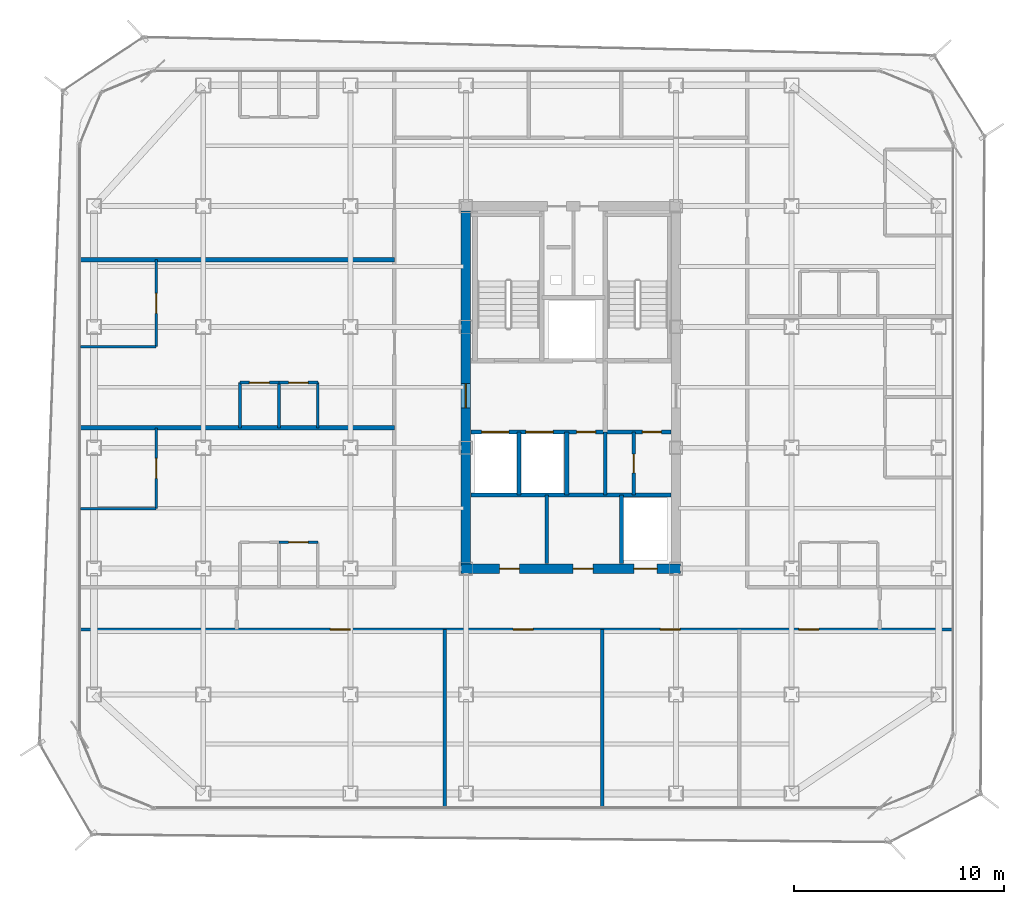
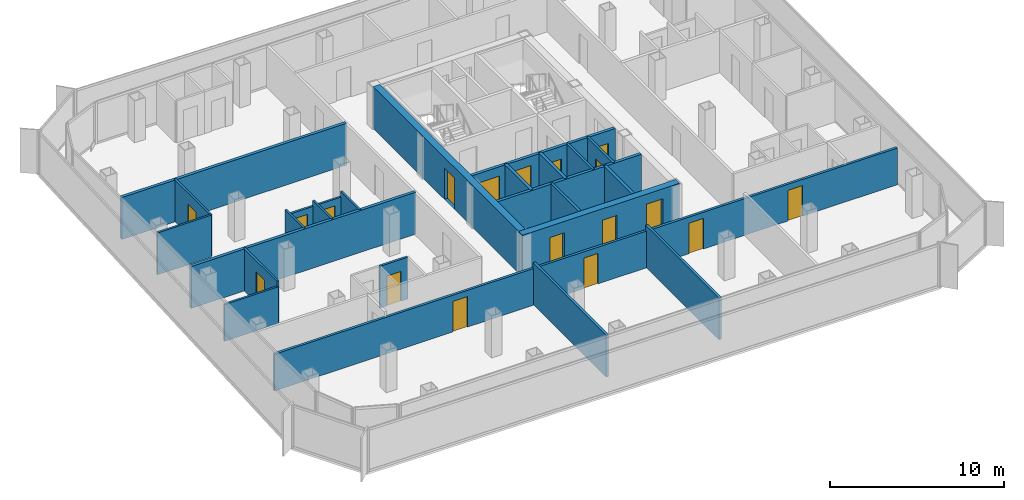
# One storey, part 10 of 15: 25 walls, 18 doors, 18 openings.
"""IFC4 building model written with IfcOpenShell, lengths in metres."""

from ifc_helpers import new_model, si_unit, direction, frame, frame_2d, origin, place, context, subcontext, project, spatial, rectangle, extrude, material, layer, layer_set, type_object, element, fill, save


model = new_model("IFC4")

# Units and contexts
model_context = context("Model", 3, precision=1e-05, world=origin(), true_north=direction((0.0, 1.0)))
body_context = subcontext(model_context, "Body", "Model", "MODEL_VIEW")
ifc_project = project(units=[si_unit("LENGTHUNIT", "METRE"), si_unit("AREAUNIT", "SQUARE_METRE"), si_unit("VOLUMEUNIT", "CUBIC_METRE"), si_unit("PLANEANGLEUNIT", "RADIAN"), si_unit("MASSUNIT", "GRAM", prefix="KILO")], contexts=[model_context])

# Site, building, storey
site_placement = place(None, origin())
site = spatial("IfcSite", under=ifc_project, at=site_placement, CompositionType="ELEMENT")
building_placement = place(site_placement, origin())
building = spatial("IfcBuilding", under=site, at=building_placement, Name="Kolveth Station Tower", CompositionType="ELEMENT")
storey_placement = place(building_placement, frame((0.0, 0.0, 196.39990234375)))
storey = spatial("IfcBuildingStorey", under=building, at=storey_placement, Name="L55", CompositionType="ELEMENT", Elevation=196.39990234375)

# Wall, openings, doors
ifc_material_1 = material(Name="Concrete C50/60", Category="concrete")
ifc_layer_1 = layer(ifc_material_1, 0.449951171875)
ifc_layer_set_1 = layer_set([ifc_layer_1], Name="Concrete C50/60")
wall_type_1 = type_object("IfcWallType", Name="Wall_CW-450", PredefinedType="SHEAR", material=ifc_layer_set_1)
wall_1_placement = place(storey_placement, frame((18.27490234375, 11.5, 0.0), z_axis=(0.0, 0.0, 1.0), x_axis=(1.0, 0.0, 0.0)))
wall_1 = element("IfcWall", 1, at=wall_1_placement, inside=storey, type_object=wall_type_1, Name="L55 Core RC Shear Wall S", PredefinedType="SHEAR", context=body_context, shape_type="SweptSolid", body=[
    extrude(rectangle(XDim=10.4501953125, YDim=0.449951171875, at=frame_2d((5.22509765625, 0.0))), origin(), (0.0, 0.0, 1.0), 2.9501953125),
])
opening_1_placement = place(wall_1_placement, frame((1.824951171875, 0.0, 0.0)))
opening_1 = element("IfcOpeningElement", 2, at=opening_1_placement, cuts=wall_1, Name="Opening ID1", PredefinedType="OPENING", context=body_context, shape_type="SweptSolid", body=[
    extrude(rectangle(XDim=0.949951171875, YDim=2.14990234375, at=frame_2d((0.47509765625, 1.074951171875))), frame((0.0, 0.23486328125, 0.0), z_axis=(0.0, -1.0, 0.0), x_axis=(1.0, 0.0, 0.0)), (0.0, 0.0, 1.0), 0.469970703125),
])
opening_2_placement = place(wall_1_placement, frame((5.324951171875, 0.0, 0.0)))
opening_2 = element("IfcOpeningElement", 3, at=opening_2_placement, cuts=wall_1, Name="Opening ID1", PredefinedType="OPENING", context=body_context, shape_type="SweptSolid", body=[
    extrude(rectangle(XDim=0.949951171875, YDim=2.14990234375, at=frame_2d((0.47509765625, 1.074951171875))), frame((0.0, 0.23486328125, 0.0), z_axis=(0.0, -1.0, 0.0), x_axis=(1.0, 0.0, 0.0)), (0.0, 0.0, 1.0), 0.469970703125),
])
opening_3_placement = place(wall_1_placement, frame((8.22509765625, 0.0, 0.0)))
opening_3 = element("IfcOpeningElement", 4, at=opening_3_placement, cuts=wall_1, Name="Opening LD1", PredefinedType="OPENING", context=body_context, shape_type="SweptSolid", body=[
    extrude(rectangle(XDim=1.10009765625, YDim=2.25, at=frame_2d((0.550048828125, 1.125))), frame((0.0, 0.23486328125, 0.0), z_axis=(0.0, -1.0, 0.0), x_axis=(1.0, 0.0, 0.0)), (0.0, 0.0, 1.0), 0.469970703125),
])
ifc_material_2 = material(Name="Acoustic hardwood leaf and aluminium frame", Category="wood")
door_type_1 = type_object("IfcDoorType", Name="Door_ID1", OperationType="NOTDEFINED", PredefinedType="DOOR", material=ifc_material_2)
door_1_placement = place(opening_1_placement, frame((0.949951171875, 0.0, 0.0), z_axis=(0.0, 0.0, 1.0), x_axis=(-1.0, 0.0, 0.0)))
door_1 = element("IfcDoor", 5, at=door_1_placement, inside=storey, type_object=door_type_1, Name="L55 Laundry Room Door", OperationType="SINGLE_SWING_LEFT", OverallHeight=2.14990234375, OverallWidth=0.949951171875, PredefinedType="DOOR", context=body_context, shape_type="SweptSolid", body=[
    extrude(rectangle(XDim=0.949951171875, YDim=2.14990234375, at=frame_2d((0.47509765625, 1.074951171875))), frame((0.0, 0.02490234375, 0.0), z_axis=(0.0, -1.0, 0.0), x_axis=(1.0, 0.0, 0.0)), (0.0, 0.0, 1.0), 0.050048828125),
])
fill(opening_1, door_1)
door_2_placement = place(opening_2_placement, frame((0.949951171875, 0.0, 0.0), z_axis=(0.0, 0.0, 1.0), x_axis=(-1.0, 0.0, 0.0)))
door_2 = element("IfcDoor", 6, at=door_2_placement, inside=storey, type_object=door_type_1, Name="L55 Parcel Room Door", OperationType="SINGLE_SWING_LEFT", OverallHeight=2.14990234375, OverallWidth=0.949951171875, PredefinedType="DOOR", context=body_context, shape_type="SweptSolid", body=[
    extrude(rectangle(XDim=0.949951171875, YDim=2.14990234375, at=frame_2d((0.47509765625, 1.074951171875))), frame((0.0, 0.02490234375, 0.0), z_axis=(0.0, -1.0, 0.0), x_axis=(1.0, 0.0, 0.0)), (0.0, 0.0, 1.0), 0.050048828125),
])
fill(opening_2, door_2)
ifc_material_3 = material(Name="Brushed stainless steel sliding landing doors", Category="steel")
door_type_2 = type_object("IfcDoorType", Name="Door_LD1", OperationType="NOTDEFINED", PredefinedType="DOOR", material=ifc_material_3)
door_3_placement = place(opening_3_placement, frame((1.10009765625, 0.0, 0.0), z_axis=(0.0, 0.0, 1.0), x_axis=(-1.0, 0.0, 0.0)))
door_3 = element("IfcDoor", 7, at=door_3_placement, inside=storey, type_object=door_type_2, Name="L55 Lift PH1 Landing Door", OperationType="DOUBLE_DOOR_SLIDING", OverallHeight=2.25, OverallWidth=1.10009765625, PredefinedType="DOOR", context=body_context, shape_type="SweptSolid", body=[
    extrude(rectangle(XDim=1.10009765625, YDim=2.25, at=frame_2d((0.550048828125, 1.125))), frame((0.0, 0.02490234375, 0.0), z_axis=(0.0, -1.0, 0.0), x_axis=(1.0, 0.0, 0.0)), (0.0, 0.0, 1.0), 0.050048828125),
])
fill(opening_3, door_3)

# Wall, opening, door
wall_2_placement = place(storey_placement, frame((18.5, 11.72509765625, 0.0), z_axis=(0.0, 0.0, 1.0), x_axis=(0.0, 1.0, 0.0)))
wall_2 = element("IfcWall", 8, at=wall_2_placement, inside=storey, type_object=wall_type_1, Name="L55 Core RC Shear Wall W", PredefinedType="SHEAR", context=body_context, shape_type="SweptSolid", body=[
    extrude(rectangle(XDim=16.7998046875, YDim=0.449951171875, at=frame_2d((8.39990234375, 0.0))), origin(), (0.0, 0.0, 1.0), 2.9501953125),
])
opening_4_placement = place(wall_2_placement, frame((7.425048828125, 0.0, 0.0)))
opening_4 = element("IfcOpeningElement", 9, at=opening_4_placement, cuts=wall_2, Name="Opening FD1", PredefinedType="OPENING", context=body_context, shape_type="SweptSolid", body=[
    extrude(rectangle(XDim=1.14990234375, YDim=2.199951171875, at=frame_2d((0.574951171875, 1.10009765625))), frame((0.0, 0.23486328125, 0.0), z_axis=(0.0, -1.0, 0.0), x_axis=(1.0, 0.0, 0.0)), (0.0, 0.0, 1.0), 0.469970703125),
])
ifc_material_4 = material(Name="Fire-rated Steel S355 leaf and frame", Category="steel")
door_type_3 = type_object("IfcDoorType", Name="Door_FD1", OperationType="NOTDEFINED", PredefinedType="DOOR", material=ifc_material_4)
door_4_placement = place(opening_4_placement, frame((1.14990234375, 0.0, 0.0), z_axis=(0.0, 0.0, 1.0), x_axis=(-1.0, 0.0, 0.0)))
door_4 = element("IfcDoor", 10, at=door_4_placement, inside=storey, type_object=door_type_3, Name="L55 West Corridor to Firefighting Lobby Door", OperationType="SINGLE_SWING_LEFT", OverallHeight=2.199951171875, OverallWidth=1.14990234375, PredefinedType="DOOR", context=body_context, shape_type="SweptSolid", body=[
    extrude(rectangle(XDim=1.14990234375, YDim=2.199951171875, at=frame_2d((0.574951171875, 1.10009765625))), frame((0.0, 0.02490234375, 0.0), z_axis=(0.0, -1.0, 0.0), x_axis=(1.0, 0.0, 0.0)), (0.0, 0.0, 1.0), 0.050048828125),
])
fill(opening_4, door_4)

ifc_material_5 = material(Name="Moisture-resistant gypsum partition")
ifc_layer_2 = layer(ifc_material_5, 0.135009765625)
ifc_layer_set_2 = layer_set([ifc_layer_2], Name="Moisture-resistant gypsum partition")
wall_type_2 = type_object("IfcWallType", Name="Wall_IW-135", PredefinedType="PARTITIONING", material=ifc_layer_set_2)
wall_3_placement = place(storey_placement, frame((9.60009765625, 12.75, 0.0), z_axis=(0.0, 0.0, 1.0), x_axis=(1.0, 0.0, 0.0)))
wall_3 = element("IfcWall", 11, at=wall_3_placement, inside=storey, type_object=wall_type_2, Name="L55 Partition Wall WL-L55-W1-IBHB", PredefinedType="PARTITIONING", context=body_context, shape_type="SweptSolid", body=[
    extrude(rectangle(XDim=1.849853515625, YDim=0.135009765625, at=frame_2d((0.9248046875, 0.0))), origin(), (0.0, 0.0, 1.0), 2.9501953125),
])
opening_5_placement = place(wall_3_placement, frame((0.465087890625, 0.0, 0.0)))
opening_5 = element("IfcOpeningElement", 12, at=opening_5_placement, cuts=wall_3, Name="Opening ID2", PredefinedType="OPENING", context=body_context, shape_type="SweptSolid", body=[
    extrude(rectangle(XDim=0.919921875, YDim=2.10009765625, at=frame_2d((0.4599609375, 1.050048828125))), frame((0.0, 0.077392578125, 0.0), z_axis=(0.0, -1.0, 0.0), x_axis=(1.0, 0.0, 0.0)), (0.0, 0.0, 1.0), 0.155029296875),
])
ifc_material_6 = material(Name="Moisture-resistant hardwood leaf", Category="wood")
door_type_4 = type_object("IfcDoorType", Name="Door_ID2", OperationType="NOTDEFINED", PredefinedType="DOOR", material=ifc_material_6)
door_5_placement = place(opening_5_placement, origin())
door_5 = element("IfcDoor", 13, at=door_5_placement, inside=storey, type_object=door_type_4, Name="Penthouse Flat L55-W1 Bathroom Door", OperationType="SINGLE_SWING_RIGHT", OverallHeight=2.10009765625, OverallWidth=0.919921875, PredefinedType="DOOR", context=body_context, shape_type="SweptSolid", body=[
    extrude(rectangle(XDim=0.919921875, YDim=2.10009765625, at=frame_2d((0.4599609375, 1.050048828125))), frame((0.0, 0.02490234375, 0.0), z_axis=(0.0, -1.0, 0.0), x_axis=(1.0, 0.0, 0.0)), (0.0, 0.0, 1.0), 0.050048828125),
])
fill(opening_5, door_5)

# Wall
wall_4_placement = place(storey_placement, frame((0.159912109375, 14.347900390625, 0.0), z_axis=(0.0, 0.0, 1.0), x_axis=(1.0, 0.0, 0.0)))
element("IfcWall", 14, at=wall_4_placement, inside=storey, type_object=wall_type_2, Name="L55 Partition Wall WL-L55-W1-BDH0", PredefinedType="PARTITIONING", context=body_context, shape_type="SweptSolid", body=[
    extrude(rectangle(XDim=3.60009765625, YDim=0.135009765625, at=frame_2d((1.800048828125, 0.0))), origin(), (0.0, 0.0, 1.0), 2.5830078125),
])

# Wall, opening, door
wall_5_placement = place(storey_placement, frame((3.760009765625, 14.347900390625, 0.0), z_axis=(0.0, 0.0, 1.0), x_axis=(0.0, 1.0, 0.0)))
wall_5 = element("IfcWall", 15, at=wall_5_placement, inside=storey, type_object=wall_type_2, Name="L55 Partition Wall WL-L55-W1-BDV1", PredefinedType="PARTITIONING", context=body_context, shape_type="SweptSolid", body=[
    extrude(rectangle(XDim=3.85205078125, YDim=0.135009765625, at=frame_2d((1.926025390625, 0.0))), origin(), (0.0, 0.0, 1.0), 2.9501953125),
])
opening_6_placement = place(wall_5_placement, frame((1.446044921875, 0.0, 0.0)))
opening_6 = element("IfcOpeningElement", 16, at=opening_6_placement, cuts=wall_5, Name="Opening ID1", PredefinedType="OPENING", context=body_context, shape_type="SweptSolid", body=[
    extrude(rectangle(XDim=0.949951171875, YDim=2.14990234375, at=frame_2d((0.47509765625, 1.074951171875))), frame((0.0, 0.077392578125, 0.0), z_axis=(0.0, -1.0, 0.0), x_axis=(1.0, 0.0, 0.0)), (0.0, 0.0, 1.0), 0.155029296875),
])
door_6_placement = place(opening_6_placement, origin())
door_6 = element("IfcDoor", 17, at=door_6_placement, inside=storey, type_object=door_type_1, Name="Penthouse Flat L55-W1 Bedroom 1 Door", OperationType="SINGLE_SWING_LEFT", OverallHeight=2.14990234375, OverallWidth=0.949951171875, PredefinedType="DOOR", context=body_context, shape_type="SweptSolid", body=[
    extrude(rectangle(XDim=0.949951171875, YDim=2.14990234375, at=frame_2d((0.47509765625, 1.074951171875))), frame((0.0, 0.02490234375, 0.0), z_axis=(0.0, -1.0, 0.0), x_axis=(1.0, 0.0, 0.0)), (0.0, 0.0, 1.0), 0.050048828125),
])
fill(opening_6, door_6)

wall_6_placement = place(storey_placement, frame((7.75, 20.35009765625, 0.0), z_axis=(0.0, 0.0, 1.0), x_axis=(1.0, 0.0, 0.0)))
wall_6 = element("IfcWall", 18, at=wall_6_placement, inside=storey, type_object=wall_type_2, Name="L55 Partition Wall WL-L55-W2-IBHK", PredefinedType="PARTITIONING", context=body_context, shape_type="SweptSolid", body=[
    extrude(rectangle(XDim=1.85009765625, YDim=0.135009765625, at=frame_2d((0.925048828125, 0.0))), origin(), (0.0, 0.0, 1.0), 2.5830078125),
])
opening_7_placement = place(wall_6_placement, frame((0.445068359375, 0.0, 0.0)))
opening_7 = element("IfcOpeningElement", 19, at=opening_7_placement, cuts=wall_6, Name="Opening ID1", PredefinedType="OPENING", context=body_context, shape_type="SweptSolid", body=[
    extrude(rectangle(XDim=0.949951171875, YDim=2.14990234375, at=frame_2d((0.47509765625, 1.074951171875))), frame((0.0, 0.077392578125, 0.0), z_axis=(0.0, -1.0, 0.0), x_axis=(1.0, 0.0, 0.0)), (0.0, 0.0, 1.0), 0.155029296875),
])
door_7_placement = place(opening_7_placement, origin())
door_7 = element("IfcDoor", 20, at=door_7_placement, inside=storey, type_object=door_type_1, Name="Penthouse Flat L55-W2 Kitchen Door", OperationType="SINGLE_SWING_LEFT", OverallHeight=2.14990234375, OverallWidth=0.949951171875, PredefinedType="DOOR", context=body_context, shape_type="SweptSolid", body=[
    extrude(rectangle(XDim=0.949951171875, YDim=2.14990234375, at=frame_2d((0.47509765625, 1.074951171875))), frame((0.0, 0.02490234375, 0.0), z_axis=(0.0, -1.0, 0.0), x_axis=(1.0, 0.0, 0.0)), (0.0, 0.0, 1.0), 0.050048828125),
])
fill(opening_7, door_7)

wall_7_placement = place(storey_placement, frame((9.60009765625, 20.35009765625, 0.0), z_axis=(0.0, 0.0, 1.0), x_axis=(1.0, 0.0, 0.0)))
wall_7 = element("IfcWall", 21, at=wall_7_placement, inside=storey, type_object=wall_type_2, Name="L55 Partition Wall WL-L55-W2-IBHB", PredefinedType="PARTITIONING", context=body_context, shape_type="SweptSolid", body=[
    extrude(rectangle(XDim=1.849853515625, YDim=0.135009765625, at=frame_2d((0.9248046875, 0.0))), origin(), (0.0, 0.0, 1.0), 2.5830078125),
])
opening_8_placement = place(wall_7_placement, frame((0.465087890625, 0.0, 0.0)))
opening_8 = element("IfcOpeningElement", 22, at=opening_8_placement, cuts=wall_7, Name="Opening ID2", PredefinedType="OPENING", context=body_context, shape_type="SweptSolid", body=[
    extrude(rectangle(XDim=0.919921875, YDim=2.10009765625, at=frame_2d((0.4599609375, 1.050048828125))), frame((0.0, 0.077392578125, 0.0), z_axis=(0.0, -1.0, 0.0), x_axis=(1.0, 0.0, 0.0)), (0.0, 0.0, 1.0), 0.155029296875),
])
door_8_placement = place(opening_8_placement, origin())
door_8 = element("IfcDoor", 23, at=door_8_placement, inside=storey, type_object=door_type_4, Name="Penthouse Flat L55-W2 Bathroom Door", OperationType="SINGLE_SWING_RIGHT", OverallHeight=2.10009765625, OverallWidth=0.919921875, PredefinedType="DOOR", context=body_context, shape_type="SweptSolid", body=[
    extrude(rectangle(XDim=0.919921875, YDim=2.10009765625, at=frame_2d((0.4599609375, 1.050048828125))), frame((0.0, 0.02490234375, 0.0), z_axis=(0.0, -1.0, 0.0), x_axis=(1.0, 0.0, 0.0)), (0.0, 0.0, 1.0), 0.050048828125),
])
fill(opening_8, door_8)

# Walls
for number, where, z_axis, x_axis, name in (
    (24, (7.75, 18.199951171875, 0.0), (0.0, 0.0, 1.0), (0.0, 1.0, 0.0), "L55 Partition Wall WL-L55-W2-IBV0"),
    (25, (9.60009765625, 18.199951171875, 0.0), (0.0, 0.0, 1.0), (0.0, 1.0, 0.0), "L55 Partition Wall WL-L55-W2-IBV1"),
    (26, (11.449951171875, 18.199951171875, 0.0), (0.0, 0.0, 1.0), (0.0, 1.0, 0.0), "L55 Partition Wall WL-L55-W2-IBV2"),
):
    element("IfcWall", number, at=place(storey_placement, frame(where, z_axis=z_axis, x_axis=x_axis)), inside=storey, type_object=wall_type_2, Name=name, PredefinedType="PARTITIONING", context=body_context, shape_type="SweptSolid", body=[
        extrude(rectangle(XDim=2.150146484375, YDim=0.135009765625, at=frame_2d((1.0751953125, 0.0))), origin(), (0.0, 0.0, 1.0), 2.9501953125),
    ])
wall_8_placement = place(storey_placement, frame((0.159912109375, 22.06005859375, 0.0), z_axis=(0.0, 0.0, 1.0), x_axis=(1.0, 0.0, 0.0)))
element("IfcWall", 27, at=wall_8_placement, inside=storey, type_object=wall_type_2, Name="L55 Partition Wall WL-L55-W2-BDH0", PredefinedType="PARTITIONING", context=body_context, shape_type="SweptSolid", body=[
    extrude(rectangle(XDim=3.60009765625, YDim=0.135009765625, at=frame_2d((1.800048828125, 0.0))), origin(), (0.0, 0.0, 1.0), 2.9501953125),
])

# Wall, opening, door
wall_9_placement = place(storey_placement, frame((3.760009765625, 22.06005859375, 0.0), z_axis=(0.0, 0.0, 1.0), x_axis=(0.0, 1.0, 0.0)))
wall_9 = element("IfcWall", 28, at=wall_9_placement, inside=storey, type_object=wall_type_2, Name="L55 Partition Wall WL-L55-W2-BDV1", PredefinedType="PARTITIONING", context=body_context, shape_type="SweptSolid", body=[
    extrude(rectangle(XDim=4.139892578125, YDim=0.135009765625, at=frame_2d((2.06982421875, 0.0))), origin(), (0.0, 0.0, 1.0), 2.9501953125),
])
opening_9_placement = place(wall_9_placement, frame((1.590087890625, 0.0, 0.0)))
opening_9 = element("IfcOpeningElement", 29, at=opening_9_placement, cuts=wall_9, Name="Opening ID1", PredefinedType="OPENING", context=body_context, shape_type="SweptSolid", body=[
    extrude(rectangle(XDim=0.949951171875, YDim=2.14990234375, at=frame_2d((0.47509765625, 1.074951171875))), frame((0.0, 0.077392578125, 0.0), z_axis=(0.0, -1.0, 0.0), x_axis=(1.0, 0.0, 0.0)), (0.0, 0.0, 1.0), 0.155029296875),
])
door_9_placement = place(opening_9_placement, origin())
door_9 = element("IfcDoor", 30, at=door_9_placement, inside=storey, type_object=door_type_1, Name="Penthouse Flat L55-W2 Bedroom 1 Door", OperationType="SINGLE_SWING_LEFT", OverallHeight=2.14990234375, OverallWidth=0.949951171875, PredefinedType="DOOR", context=body_context, shape_type="SweptSolid", body=[
    extrude(rectangle(XDim=0.949951171875, YDim=2.14990234375, at=frame_2d((0.47509765625, 1.074951171875))), frame((0.0, 0.02490234375, 0.0), z_axis=(0.0, -1.0, 0.0), x_axis=(1.0, 0.0, 0.0)), (0.0, 0.0, 1.0), 0.050048828125),
])
fill(opening_9, door_9)

# Wall
ifc_material_7 = material(Name="Acoustic double-stud gypsum partition")
ifc_layer_3 = layer(ifc_material_7, 0.1650390625)
ifc_layer_set_3 = layer_set([ifc_layer_3], Name="Acoustic double-stud gypsum partition")
wall_type_3 = type_object("IfcWallType", Name="Wall_IW-165", PredefinedType="PARTITIONING", material=ifc_layer_set_3)
wall_10_placement = place(storey_placement, frame((25.1298828125, 15.0, 0.0), z_axis=(0.0, 0.0, 1.0), x_axis=(0.0, 1.0, 0.0)))
element("IfcWall", 31, at=wall_10_placement, inside=storey, type_object=wall_type_3, Name="L55 Partition Wall WL-L55-CB-V3A", PredefinedType="PARTITIONING", context=body_context, shape_type="SweptSolid", body=[
    extrude(rectangle(XDim=3.0, YDim=0.1650390625, at=frame_2d((1.5, 0.0))), origin(), (0.0, 0.0, 1.0), 2.9501953125),
])

# Wall, opening, door
wall_11_placement = place(storey_placement, frame((26.47998046875, 15.0, 0.0), z_axis=(0.0, 0.0, 1.0), x_axis=(0.0, 1.0, 0.0)))
wall_11 = element("IfcWall", 32, at=wall_11_placement, inside=storey, type_object=wall_type_3, Name="L55 Partition Wall WL-L55-CB-V3B", PredefinedType="PARTITIONING", context=body_context, shape_type="SweptSolid", body=[
    extrude(rectangle(XDim=3.0, YDim=0.1650390625, at=frame_2d((1.5, 0.0))), origin(), (0.0, 0.0, 1.0), 2.9501953125),
])
opening_10_placement = place(wall_11_placement, frame((1.050048828125, 0.0, 0.0)))
opening_10 = element("IfcOpeningElement", 33, at=opening_10_placement, cuts=wall_11, Name="Opening RD1", PredefinedType="OPENING", context=body_context, shape_type="SweptSolid", body=[
    extrude(rectangle(XDim=0.89990234375, YDim=2.050048828125, at=frame_2d((0.449951171875, 1.02490234375))), frame((0.0, 0.092529296875, 0.0), z_axis=(0.0, -1.0, 0.0), x_axis=(1.0, 0.0, 0.0)), (0.0, 0.0, 1.0), 0.18505859375),
])
ifc_material_8 = material(Name="Fire-rated Steel S355 riser access leaf", Category="steel")
door_type_5 = type_object("IfcDoorType", Name="Door_RD1", OperationType="NOTDEFINED", PredefinedType="DOOR", material=ifc_material_8)
door_10_placement = place(opening_10_placement, origin())
door_10 = element("IfcDoor", 34, at=door_10_placement, inside=storey, type_object=door_type_5, Name="L55 Core Meter Closet Door", OperationType="SINGLE_SWING_LEFT", OverallHeight=2.050048828125, OverallWidth=0.89990234375, PredefinedType="DOOR", context=body_context, shape_type="SweptSolid", body=[
    extrude(rectangle(XDim=0.89990234375, YDim=2.050048828125, at=frame_2d((0.449951171875, 1.02490234375))), frame((0.0, 0.02490234375, 0.0), z_axis=(0.0, -1.0, 0.0), x_axis=(1.0, 0.0, 0.0)), (0.0, 0.0, 1.0), 0.050048828125),
])
fill(opening_10, door_10)

# Wall
wall_12_placement = place(storey_placement, frame((22.35009765625, 11.735107421875, 0.0), z_axis=(0.0, 0.0, 1.0), x_axis=(0.0, 1.0, 0.0)))
element("IfcWall", 35, at=wall_12_placement, inside=storey, type_object=wall_type_3, Name="L55 Partition Wall WL-L55-FR-M", PredefinedType="PARTITIONING", context=body_context, shape_type="SweptSolid", body=[
    extrude(rectangle(XDim=3.264892578125, YDim=0.1650390625, at=frame_2d((1.63232421875, 0.0))), origin(), (0.0, 0.0, 1.0), 2.9501953125),
])

# Wall, openings, doors
wall_13_placement = place(storey_placement, frame((0.159912109375, 8.60009765625, 0.0), z_axis=(0.0, 0.0, 1.0), x_axis=(1.0, 0.0, 0.0)))
wall_13 = element("IfcWall", 36, at=wall_13_placement, inside=storey, type_object=wall_type_3, Name="L55 Partition Wall WL-L55-RS", PredefinedType="PARTITIONING", context=body_context, shape_type="SweptSolid", body=[
    extrude(rectangle(XDim=41.47998046875, YDim=0.1650390625, at=frame_2d((20.739990234375, 0.0))), origin(), (0.0, 0.0, 1.0), 2.5830078125),
])
opening_11_placement = place(wall_13_placement, frame((11.889892578125, 0.0, 0.0)))
opening_11 = element("IfcOpeningElement", 37, at=opening_11_placement, cuts=wall_13, Name="Opening ID1", PredefinedType="OPENING", context=body_context, shape_type="SweptSolid", body=[
    extrude(rectangle(XDim=0.949951171875, YDim=2.14990234375, at=frame_2d((0.47509765625, 1.074951171875))), frame((0.0, 0.092529296875, 0.0), z_axis=(0.0, -1.0, 0.0), x_axis=(1.0, 0.0, 0.0)), (0.0, 0.0, 1.0), 0.18505859375),
])
opening_12_placement = place(wall_13_placement, frame((20.590087890625, 0.0, 0.0)))
opening_12 = element("IfcOpeningElement", 38, at=opening_12_placement, cuts=wall_13, Name="Opening ID1", PredefinedType="OPENING", context=body_context, shape_type="SweptSolid", body=[
    extrude(rectangle(XDim=0.949951171875, YDim=2.14990234375, at=frame_2d((0.47509765625, 1.074951171875))), frame((0.0, 0.092529296875, 0.0), z_axis=(0.0, -1.0, 0.0), x_axis=(1.0, 0.0, 0.0)), (0.0, 0.0, 1.0), 0.18505859375),
])
opening_13_placement = place(wall_13_placement, frame((27.590087890625, 0.0, 0.0)))
opening_13 = element("IfcOpeningElement", 39, at=opening_13_placement, cuts=wall_13, Name="Opening ID1", PredefinedType="OPENING", context=body_context, shape_type="SweptSolid", body=[
    extrude(rectangle(XDim=0.949951171875, YDim=2.14990234375, at=frame_2d((0.47509765625, 1.074951171875))), frame((0.0, 0.092529296875, 0.0), z_axis=(0.0, -1.0, 0.0), x_axis=(1.0, 0.0, 0.0)), (0.0, 0.0, 1.0), 0.18505859375),
])
opening_14_placement = place(wall_13_placement, frame((34.18994140625, 0.0, 0.0)))
opening_14 = element("IfcOpeningElement", 40, at=opening_14_placement, cuts=wall_13, Name="Opening ID1", PredefinedType="OPENING", context=body_context, shape_type="SweptSolid", body=[
    extrude(rectangle(XDim=0.949951171875, YDim=2.14990234375, at=frame_2d((0.47509765625, 1.074951171875))), frame((0.0, 0.092529296875, 0.0), z_axis=(0.0, -1.0, 0.0), x_axis=(1.0, 0.0, 0.0)), (0.0, 0.0, 1.0), 0.18505859375),
])
door_11_placement = place(opening_11_placement, frame((0.949951171875, 0.0, 0.0), z_axis=(0.0, 0.0, 1.0), x_axis=(-1.0, 0.0, 0.0)))
door_11 = element("IfcDoor", 41, at=door_11_placement, inside=storey, type_object=door_type_1, Name="L55 Residents' Co-Working Office 1 Door", OperationType="SINGLE_SWING_LEFT", OverallHeight=2.14990234375, OverallWidth=0.949951171875, PredefinedType="DOOR", context=body_context, shape_type="SweptSolid", body=[
    extrude(rectangle(XDim=0.949951171875, YDim=2.14990234375, at=frame_2d((0.47509765625, 1.074951171875))), frame((0.0, 0.02490234375, 0.0), z_axis=(0.0, -1.0, 0.0), x_axis=(1.0, 0.0, 0.0)), (0.0, 0.0, 1.0), 0.050048828125),
])
fill(opening_11, door_11)
door_12_placement = place(opening_12_placement, frame((0.949951171875, 0.0, 0.0), z_axis=(0.0, 0.0, 1.0), x_axis=(-1.0, 0.0, 0.0)))
door_12 = element("IfcDoor", 42, at=door_12_placement, inside=storey, type_object=door_type_1, Name="L55 Residents' Co-Working Office 2 Door", OperationType="SINGLE_SWING_RIGHT", OverallHeight=2.14990234375, OverallWidth=0.949951171875, PredefinedType="DOOR", context=body_context, shape_type="SweptSolid", body=[
    extrude(rectangle(XDim=0.949951171875, YDim=2.14990234375, at=frame_2d((0.47509765625, 1.074951171875))), frame((0.0, 0.02490234375, 0.0), z_axis=(0.0, -1.0, 0.0), x_axis=(1.0, 0.0, 0.0)), (0.0, 0.0, 1.0), 0.050048828125),
])
fill(opening_12, door_12)
door_13_placement = place(opening_13_placement, frame((0.949951171875, 0.0, 0.0), z_axis=(0.0, 0.0, 1.0), x_axis=(-1.0, 0.0, 0.0)))
door_13 = element("IfcDoor", 43, at=door_13_placement, inside=storey, type_object=door_type_1, Name="L55 Residents' Meeting Room 1 Door", OperationType="SINGLE_SWING_LEFT", OverallHeight=2.14990234375, OverallWidth=0.949951171875, PredefinedType="DOOR", context=body_context, shape_type="SweptSolid", body=[
    extrude(rectangle(XDim=0.949951171875, YDim=2.14990234375, at=frame_2d((0.47509765625, 1.074951171875))), frame((0.0, 0.02490234375, 0.0), z_axis=(0.0, -1.0, 0.0), x_axis=(1.0, 0.0, 0.0)), (0.0, 0.0, 1.0), 0.050048828125),
])
fill(opening_13, door_13)
door_14_placement = place(opening_14_placement, frame((0.949951171875, 0.0, 0.0), z_axis=(0.0, 0.0, 1.0), x_axis=(-1.0, 0.0, 0.0)))
door_14 = element("IfcDoor", 44, at=door_14_placement, inside=storey, type_object=door_type_1, Name="L55 Residents' Meeting Room 2 Door", OperationType="SINGLE_SWING_RIGHT", OverallHeight=2.14990234375, OverallWidth=0.949951171875, PredefinedType="DOOR", context=body_context, shape_type="SweptSolid", body=[
    extrude(rectangle(XDim=0.949951171875, YDim=2.14990234375, at=frame_2d((0.47509765625, 1.074951171875))), frame((0.0, 0.02490234375, 0.0), z_axis=(0.0, -1.0, 0.0), x_axis=(1.0, 0.0, 0.0)), (0.0, 0.0, 1.0), 0.050048828125),
])
fill(opening_14, door_14)

# Walls
for number, where, z_axis, x_axis, name in (
    (45, (17.5, 0.159912109375, 0.0), (0.0, 0.0, 1.0), (0.0, 1.0, 0.0), "L55 Partition Wall WL-L55-RSA-P1"),
    (46, (25.0, 0.159912109375, 0.0), (0.0, 0.0, 1.0), (0.0, 1.0, 0.0), "L55 Partition Wall WL-L55-RSA-P2"),
):
    element("IfcWall", number, at=place(storey_placement, frame(where, z_axis=z_axis, x_axis=x_axis)), inside=storey, type_object=wall_type_3, Name=name, PredefinedType="PARTITIONING", context=body_context, shape_type="SweptSolid", body=[
        extrude(rectangle(XDim=8.440185546875, YDim=0.1650390625, at=frame_2d((4.22021484375, 0.0))), origin(), (0.0, 0.0, 1.0), 2.9501953125),
    ])

# Wall, openings, doors
ifc_material_9 = material(Name="Acoustic fire-rated gypsum blockwork", Category="masonry")
ifc_layer_4 = layer(ifc_material_9, 0.199951171875)
ifc_layer_set_4 = layer_set([ifc_layer_4], Name="Acoustic fire-rated gypsum blockwork")
wall_type_4 = type_object("IfcWallType", Name="Wall_IW-200", PredefinedType="PARTITIONING", material=ifc_layer_set_4)
wall_14_placement = place(storey_placement, frame((18.735107421875, 18.0, 0.0), z_axis=(0.0, 0.0, 1.0), x_axis=(1.0, 0.0, 0.0)))
wall_14 = element("IfcWall", 47, at=wall_14_placement, inside=storey, type_object=wall_type_4, Name="L55 Partition Wall WL-L55-FFL-S", PredefinedType="PARTITIONING", context=body_context, shape_type="SweptSolid", body=[
    extrude(rectangle(XDim=9.52978515625, YDim=0.199951171875, at=frame_2d((4.764892578125, 0.0))), origin(), (0.0, 0.0, 1.0), 2.9501953125),
])
opening_15_placement = place(wall_14_placement, frame((0.514892578125, 0.0, 0.0)))
opening_15 = element("IfcOpeningElement", 48, at=opening_15_placement, cuts=wall_14, Name="Opening LD2", PredefinedType="OPENING", context=body_context, shape_type="SweptSolid", body=[
    extrude(rectangle(XDim=1.300048828125, YDim=2.300048828125, at=frame_2d((0.64990234375, 1.14990234375))), frame((0.0, 0.10986328125, 0.0), z_axis=(0.0, -1.0, 0.0), x_axis=(1.0, 0.0, 0.0)), (0.0, 0.0, 1.0), 0.219970703125),
])
opening_16_placement = place(wall_14_placement, frame((2.614990234375, 0.0, 0.0)))
opening_16 = element("IfcOpeningElement", 49, at=opening_16_placement, cuts=wall_14, Name="Opening LD2", PredefinedType="OPENING", context=body_context, shape_type="SweptSolid", body=[
    extrude(rectangle(XDim=1.300048828125, YDim=2.300048828125, at=frame_2d((0.64990234375, 1.14990234375))), frame((0.0, 0.10986328125, 0.0), z_axis=(0.0, -1.0, 0.0), x_axis=(1.0, 0.0, 0.0)), (0.0, 0.0, 1.0), 0.219970703125),
])
opening_17_placement = place(wall_14_placement, frame((5.034912109375, 0.0, 0.0)))
opening_17 = element("IfcOpeningElement", 50, at=opening_17_placement, cuts=wall_14, Name="Opening RD1", PredefinedType="OPENING", context=body_context, shape_type="SweptSolid", body=[
    extrude(rectangle(XDim=0.89990234375, YDim=2.050048828125, at=frame_2d((0.449951171875, 1.02490234375))), frame((0.0, 0.10986328125, 0.0), z_axis=(0.0, -1.0, 0.0), x_axis=(1.0, 0.0, 0.0)), (0.0, 0.0, 1.0), 0.219970703125),
])
opening_18_placement = place(wall_14_placement, frame((8.1650390625, 0.0, 0.0)))
opening_18 = element("IfcOpeningElement", 51, at=opening_18_placement, cuts=wall_14, Name="Opening RD1", PredefinedType="OPENING", context=body_context, shape_type="SweptSolid", body=[
    extrude(rectangle(XDim=0.89990234375, YDim=2.050048828125, at=frame_2d((0.449951171875, 1.02490234375))), frame((0.0, 0.10986328125, 0.0), z_axis=(0.0, -1.0, 0.0), x_axis=(1.0, 0.0, 0.0)), (0.0, 0.0, 1.0), 0.219970703125),
])
ifc_material_10 = material(Name="Firefighting stainless steel sliding landing doors", Category="steel")
door_type_6 = type_object("IfcDoorType", Name="Door_LD2", OperationType="NOTDEFINED", PredefinedType="DOOR", material=ifc_material_10)
door_15_placement = place(opening_15_placement, origin())
door_15 = element("IfcDoor", 52, at=door_15_placement, inside=storey, type_object=door_type_6, Name="L55 Firefighting Lift FF1 Landing Door", OperationType="DOUBLE_DOOR_SLIDING", OverallHeight=2.300048828125, OverallWidth=1.300048828125, PredefinedType="DOOR", context=body_context, shape_type="SweptSolid", body=[
    extrude(rectangle(XDim=1.300048828125, YDim=2.300048828125, at=frame_2d((0.64990234375, 1.14990234375))), frame((0.0, 0.02490234375, 0.0), z_axis=(0.0, -1.0, 0.0), x_axis=(1.0, 0.0, 0.0)), (0.0, 0.0, 1.0), 0.050048828125),
])
fill(opening_15, door_15)
door_16_placement = place(opening_16_placement, origin())
door_16 = element("IfcDoor", 53, at=door_16_placement, inside=storey, type_object=door_type_6, Name="L55 Firefighting Lift FF2 Landing Door", OperationType="DOUBLE_DOOR_SLIDING", OverallHeight=2.300048828125, OverallWidth=1.300048828125, PredefinedType="DOOR", context=body_context, shape_type="SweptSolid", body=[
    extrude(rectangle(XDim=1.300048828125, YDim=2.300048828125, at=frame_2d((0.64990234375, 1.14990234375))), frame((0.0, 0.02490234375, 0.0), z_axis=(0.0, -1.0, 0.0), x_axis=(1.0, 0.0, 0.0)), (0.0, 0.0, 1.0), 0.050048828125),
])
fill(opening_16, door_16)
door_17_placement = place(opening_17_placement, frame((0.89990234375, 0.0, 0.0), z_axis=(0.0, 0.0, 1.0), x_axis=(-1.0, 0.0, 0.0)))
door_17 = element("IfcDoor", 54, at=door_17_placement, inside=storey, type_object=door_type_5, Name="L55 Core Staff WC Door", OperationType="SINGLE_SWING_RIGHT", OverallHeight=2.050048828125, OverallWidth=0.89990234375, PredefinedType="DOOR", context=body_context, shape_type="SweptSolid", body=[
    extrude(rectangle(XDim=0.89990234375, YDim=2.050048828125, at=frame_2d((0.449951171875, 1.02490234375))), frame((0.0, 0.02490234375, 0.0), z_axis=(0.0, -1.0, 0.0), x_axis=(1.0, 0.0, 0.0)), (0.0, 0.0, 1.0), 0.050048828125),
])
fill(opening_17, door_17)
door_18_placement = place(opening_18_placement, frame((0.89990234375, 0.0, 0.0), z_axis=(0.0, 0.0, 1.0), x_axis=(-1.0, 0.0, 0.0)))
door_18 = element("IfcDoor", 55, at=door_18_placement, inside=storey, type_object=door_type_5, Name="L55 Core Janitor Store Door", OperationType="SINGLE_SWING_RIGHT", OverallHeight=2.050048828125, OverallWidth=0.89990234375, PredefinedType="DOOR", context=body_context, shape_type="SweptSolid", body=[
    extrude(rectangle(XDim=0.89990234375, YDim=2.050048828125, at=frame_2d((0.449951171875, 1.02490234375))), frame((0.0, 0.02490234375, 0.0), z_axis=(0.0, -1.0, 0.0), x_axis=(1.0, 0.0, 0.0)), (0.0, 0.0, 1.0), 0.050048828125),
])
fill(opening_18, door_18)

# Walls
for number, where, z_axis, x_axis, name in (
    (56, (21.02001953125, 15.0, 0.0), (0.0, 0.0, 1.0), (0.0, 1.0, 0.0), "L55 Partition Wall WL-L55-FF12"),
    (57, (23.300048828125, 15.0, 0.0), (0.0, 0.0, 1.0), (0.0, 1.0, 0.0), "L55 Partition Wall WL-L55-FF2E"),
):
    element("IfcWall", number, at=place(storey_placement, frame(where, z_axis=z_axis, x_axis=x_axis)), inside=storey, type_object=wall_type_4, Name=name, PredefinedType="PARTITIONING", context=body_context, shape_type="SweptSolid", body=[
        extrude(rectangle(XDim=3.0, YDim=0.199951171875, at=frame_2d((1.5, 0.0))), origin(), (0.0, 0.0, 1.0), 2.9501953125),
    ])
wall_15_placement = place(storey_placement, frame((18.735107421875, 15.0, 0.0), z_axis=(0.0, 0.0, 1.0), x_axis=(1.0, 0.0, 0.0)))
element("IfcWall", 58, at=wall_15_placement, inside=storey, type_object=wall_type_4, Name="L55 Partition Wall WL-L55-BOH-S", PredefinedType="PARTITIONING", context=body_context, shape_type="SweptSolid", body=[
    extrude(rectangle(XDim=9.52978515625, YDim=0.199951171875, at=frame_2d((4.764892578125, 0.0))), origin(), (0.0, 0.0, 1.0), 2.9501953125),
])
wall_16_placement = place(storey_placement, frame((25.89990234375, 11.735107421875, 0.0), z_axis=(0.0, 0.0, 1.0), x_axis=(0.0, 1.0, 0.0)))
element("IfcWall", 59, at=wall_16_placement, inside=storey, type_object=wall_type_4, Name="L55 Partition Wall WL-L55-PMPH", PredefinedType="PARTITIONING", context=body_context, shape_type="SweptSolid", body=[
    extrude(rectangle(XDim=3.264892578125, YDim=0.199951171875, at=frame_2d((1.63232421875, 0.0))), origin(), (0.0, 0.0, 1.0), 2.9501953125),
])
for number, where, z_axis, x_axis, name in (
    (60, (0.159912109375, 18.199951171875, 0.0), (0.0, 0.0, 1.0), (1.0, 0.0, 0.0), "L55 Partition Wall WL-L55-RWU-1"),
    (61, (0.159912109375, 26.199951171875, 0.0), (0.0, 0.0, 1.0), (1.0, 0.0, 0.0), "L55 Partition Wall WL-L55-RWU-2"),
):
    element("IfcWall", number, at=place(storey_placement, frame(where, z_axis=z_axis, x_axis=x_axis)), inside=storey, type_object=wall_type_4, Name=name, PredefinedType="PARTITIONING", context=body_context, shape_type="SweptSolid", body=[
        extrude(rectangle(XDim=14.940185546875, YDim=0.199951171875, at=frame_2d((7.47021484375, 0.0))), origin(), (0.0, 0.0, 1.0), 2.9501953125),
    ])

save(model, "model.ifc")
